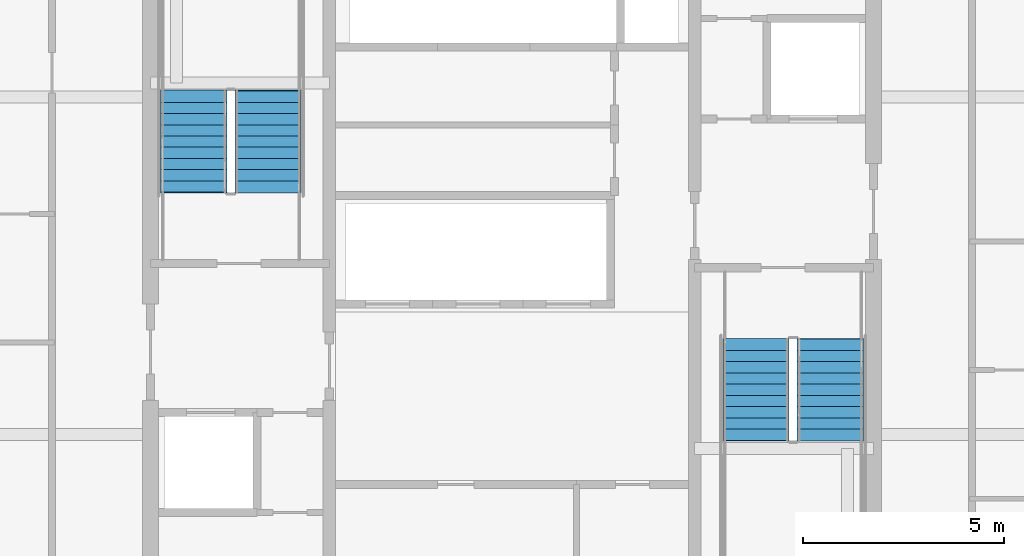
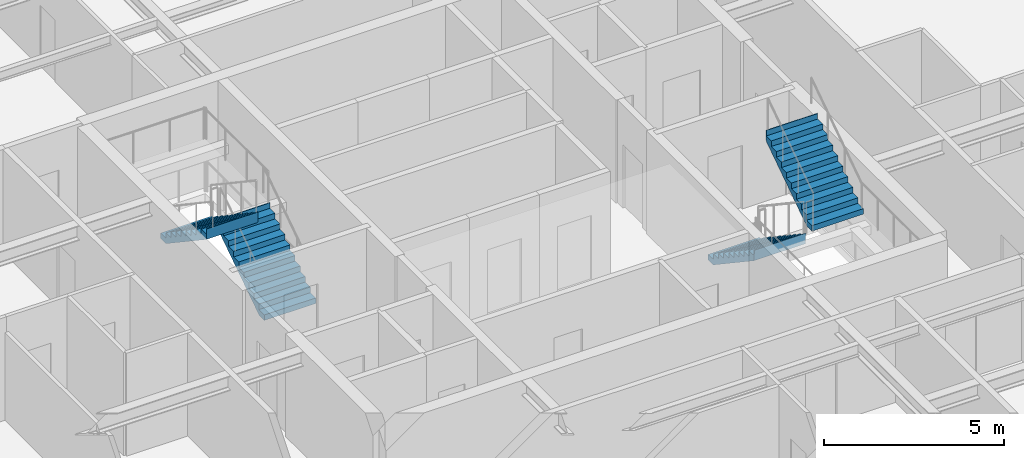
# One storey, part 30 of 35: 4 stair flights, 2 elements without a shape of their own.
"""IFC4 building model written with IfcOpenShell, lengths in metres."""

from ifc_helpers import new_model, si_unit, direction, frame, origin, place, context, subcontext, project, spatial, polygons, material, type_object, element, aggregate, save


model = new_model("IFC4")

# Units and contexts
model_context = context("Model", 3, precision=1e-05, world=origin(), true_north=direction((0.0, 1.0)))
body_context = subcontext(model_context, "Body", "Model", "MODEL_VIEW")
ifc_project = project(units=[si_unit("LENGTHUNIT", "METRE"), si_unit("AREAUNIT", "SQUARE_METRE"), si_unit("VOLUMEUNIT", "CUBIC_METRE"), si_unit("PLANEANGLEUNIT", "RADIAN"), si_unit("MASSUNIT", "GRAM", prefix="KILO")], contexts=[model_context])

# Site, building, storey
site_placement = place(None, origin())
site = spatial("IfcSite", under=ifc_project, at=site_placement, CompositionType="ELEMENT")
building_placement = place(site_placement, origin())
building = spatial("IfcBuilding", under=site, at=building_placement, Name="Serunith Strait Residences", CompositionType="ELEMENT")
storey_placement = place(building_placement, frame((0.0, 0.0, 191.39990234375)))
storey = spatial("IfcBuildingStorey", under=building, at=storey_placement, Name="L48", CompositionType="ELEMENT", Elevation=191.39990234375)

# Stair, stair flights
ifc_material = material(Name="Concrete C50/60", Category="concrete")
stair_type_1 = type_object("IfcStairType", Name="STR-CORE-1", PredefinedType="HALF_TURN_STAIR", material=ifc_material)
stair_1_placement = place(storey_placement, origin())
stair_1 = element("IfcStair", 1, at=stair_1_placement, inside=storey, type_object=stair_type_1, Name="L48 Protected Escape Stair ST-1", PredefinedType="HALF_TURN_STAIR")
stair_flight_type_1 = type_object("IfcStairFlightType", Name="FLT-CORE-1", PredefinedType="STRAIGHT", material=ifc_material)
stair_flight_1_placement = place(storey_placement, frame((26.324951171875, 27.030029296875, 0.0), z_axis=(0.0, 0.0, 1.0), x_axis=(0.0, 1.0, 0.0)))
stair_flight_1 = element("IfcStairFlight", 2, at=stair_flight_1_placement, type_object=stair_flight_type_1, Name="ST-1 flight 1", NumberOfRisers=10, NumberOfTreads=9, PredefinedType="STRAIGHT", RiserHeight=0.1875, TreadLength=0.28, context=body_context, shape_type="Tessellation", body=[
    polygons([(-0.02001953125, -0.824951171875, 0.0), (-0.02001953125, -0.824951171875, 0.1875), (0.280029296875, -0.824951171875, 0.1875), (0.280029296875, -0.824951171875, 0.375), (0.56005859375, -0.824951171875, 0.375), (0.56005859375, -0.824951171875, 0.5625), (0.840087890625, -0.824951171875, 0.5625), (0.840087890625, -0.824951171875, 0.75), (1.1201171875, -0.824951171875, 0.75), (1.1201171875, -0.824951171875, 0.9375), (1.39990234375, -0.824951171875, 0.9375), (1.39990234375, -0.824951171875, 1.125), (1.679931640625, -0.824951171875, 1.125), (1.679931640625, -0.824951171875, 1.3125), (1.9599609375, -0.824951171875, 1.3125), (1.9599609375, -0.824951171875, 1.5), (2.239990234375, -0.824951171875, 1.5), (2.239990234375, -0.824951171875, 1.6875), (2.52001953125, -0.824951171875, 1.6875), (2.52001953125, -0.824951171875, 1.875), (2.5400390625, -0.824951171875, 1.875), (2.5400390625, -0.824951171875, 1.81494140625), (2.52001953125, -0.824951171875, 1.507080078125), (0.26953125, -0.824951171875, 0.0), (-0.02001953125, -0.41259765625, 0.0), (-0.02001953125, -0.41259765625, 0.1875), (0.280029296875, -0.41259765625, 0.1875), (0.280029296875, -0.41259765625, 0.375), (0.56005859375, -0.41259765625, 0.375), (0.56005859375, -0.41259765625, 0.5625), (0.840087890625, -0.41259765625, 0.5625), (0.840087890625, -0.41259765625, 0.75), (1.1201171875, -0.41259765625, 0.75), (1.1201171875, -0.41259765625, 0.9375), (1.39990234375, -0.41259765625, 0.9375), (1.39990234375, -0.41259765625, 1.125), (1.679931640625, -0.41259765625, 1.125), (1.679931640625, -0.41259765625, 1.3125), (1.9599609375, -0.41259765625, 1.3125), (1.9599609375, -0.41259765625, 1.5), (2.239990234375, -0.41259765625, 1.5), (2.239990234375, -0.41259765625, 1.6875), (2.52001953125, -0.41259765625, 1.6875), (2.52001953125, -0.41259765625, 1.875), (2.5400390625, -0.41259765625, 1.875), (2.5400390625, -0.41259765625, 1.81494140625), (2.52001953125, -0.41259765625, 1.507080078125), (0.26953125, -0.41259765625, 0.0), (-0.02001953125, 0.0, 0.0), (-0.02001953125, 0.0, 0.1875), (0.280029296875, 0.0, 0.1875), (0.280029296875, 0.0, 0.375), (0.56005859375, 0.0, 0.375), (0.56005859375, 0.0, 0.5625), (0.840087890625, 0.0, 0.5625), (0.840087890625, 0.0, 0.75), (1.1201171875, 0.0, 0.75), (1.1201171875, 0.0, 0.9375), (1.39990234375, 0.0, 0.9375), (1.39990234375, 0.0, 1.125), (1.679931640625, 0.0, 1.125), (1.679931640625, 0.0, 1.3125), (1.9599609375, 0.0, 1.3125), (1.9599609375, 0.0, 1.5), (2.239990234375, 0.0, 1.5), (2.239990234375, 0.0, 1.6875), (2.52001953125, 0.0, 1.6875), (2.52001953125, 0.0, 1.875), (2.5400390625, 0.0, 1.875), (2.5400390625, 0.0, 1.81494140625), (2.52001953125, 0.0, 1.507080078125), (0.26953125, 0.0, 0.0), (-0.02001953125, 0.41259765625, 0.0), (-0.02001953125, 0.41259765625, 0.1875), (0.280029296875, 0.41259765625, 0.1875), (0.280029296875, 0.41259765625, 0.375), (0.56005859375, 0.41259765625, 0.375), (0.56005859375, 0.41259765625, 0.5625), (0.840087890625, 0.41259765625, 0.5625), (0.840087890625, 0.41259765625, 0.75), (1.1201171875, 0.41259765625, 0.75), (1.1201171875, 0.41259765625, 0.9375), (1.39990234375, 0.41259765625, 0.9375), (1.39990234375, 0.41259765625, 1.125), (1.679931640625, 0.41259765625, 1.125), (1.679931640625, 0.41259765625, 1.3125), (1.9599609375, 0.41259765625, 1.3125), (1.9599609375, 0.41259765625, 1.5), (2.239990234375, 0.41259765625, 1.5), (2.239990234375, 0.41259765625, 1.6875), (2.52001953125, 0.41259765625, 1.6875), (2.52001953125, 0.41259765625, 1.875), (2.5400390625, 0.41259765625, 1.875), (2.5400390625, 0.41259765625, 1.81494140625), (2.52001953125, 0.41259765625, 1.507080078125), (0.26953125, 0.41259765625, 0.0), (-0.02001953125, 0.824951171875, 0.0), (-0.02001953125, 0.824951171875, 0.1875), (0.280029296875, 0.824951171875, 0.1875), (0.280029296875, 0.824951171875, 0.375), (0.56005859375, 0.824951171875, 0.375), (0.56005859375, 0.824951171875, 0.5625), (0.840087890625, 0.824951171875, 0.5625), (0.840087890625, 0.824951171875, 0.75), (1.1201171875, 0.824951171875, 0.75), (1.1201171875, 0.824951171875, 0.9375), (1.39990234375, 0.824951171875, 0.9375), (1.39990234375, 0.824951171875, 1.125), (1.679931640625, 0.824951171875, 1.125), (1.679931640625, 0.824951171875, 1.3125), (1.9599609375, 0.824951171875, 1.3125), (1.9599609375, 0.824951171875, 1.5), (2.239990234375, 0.824951171875, 1.5), (2.239990234375, 0.824951171875, 1.6875), (2.52001953125, 0.824951171875, 1.6875), (2.52001953125, 0.824951171875, 1.875), (2.5400390625, 0.824951171875, 1.875), (2.5400390625, 0.824951171875, 1.81494140625), (2.52001953125, 0.824951171875, 1.507080078125), (0.26953125, 0.824951171875, 0.0)], [[[1, 2, 26, 25]], [[2, 3, 27, 26]], [[3, 4, 28, 27]], [[4, 5, 29, 28]], [[5, 6, 30, 29]], [[6, 7, 31, 30]], [[7, 8, 32, 31]], [[8, 9, 33, 32]], [[9, 10, 34, 33]], [[10, 11, 35, 34]], [[11, 12, 36, 35]], [[12, 13, 37, 36]], [[13, 14, 38, 37]], [[14, 15, 39, 38]], [[15, 16, 40, 39]], [[16, 17, 41, 40]], [[17, 18, 42, 41]], [[18, 19, 43, 42]], [[19, 20, 44, 43]], [[20, 21, 45, 44]], [[21, 22, 46, 45]], [[22, 23, 47, 46]], [[23, 24, 48, 47]], [[24, 1, 25, 48]], [[25, 26, 50, 49]], [[26, 27, 51, 50]], [[27, 28, 52, 51]], [[28, 29, 53, 52]], [[29, 30, 54, 53]], [[30, 31, 55, 54]], [[31, 32, 56, 55]], [[32, 33, 57, 56]], [[33, 34, 58, 57]], [[34, 35, 59, 58]], [[35, 36, 60, 59]], [[36, 37, 61, 60]], [[37, 38, 62, 61]], [[38, 39, 63, 62]], [[39, 40, 64, 63]], [[40, 41, 65, 64]], [[41, 42, 66, 65]], [[42, 43, 67, 66]], [[43, 44, 68, 67]], [[44, 45, 69, 68]], [[45, 46, 70, 69]], [[46, 47, 71, 70]], [[47, 48, 72, 71]], [[48, 25, 49, 72]], [[49, 50, 74, 73]], [[50, 51, 75, 74]], [[51, 52, 76, 75]], [[52, 53, 77, 76]], [[53, 54, 78, 77]], [[54, 55, 79, 78]], [[55, 56, 80, 79]], [[56, 57, 81, 80]], [[57, 58, 82, 81]], [[58, 59, 83, 82]], [[59, 60, 84, 83]], [[60, 61, 85, 84]], [[61, 62, 86, 85]], [[62, 63, 87, 86]], [[63, 64, 88, 87]], [[64, 65, 89, 88]], [[65, 66, 90, 89]], [[66, 67, 91, 90]], [[67, 68, 92, 91]], [[68, 69, 93, 92]], [[69, 70, 94, 93]], [[70, 71, 95, 94]], [[71, 72, 96, 95]], [[72, 49, 73, 96]], [[73, 74, 98, 97]], [[74, 75, 99, 98]], [[75, 76, 100, 99]], [[76, 77, 101, 100]], [[77, 78, 102, 101]], [[78, 79, 103, 102]], [[79, 80, 104, 103]], [[80, 81, 105, 104]], [[81, 82, 106, 105]], [[82, 83, 107, 106]], [[83, 84, 108, 107]], [[84, 85, 109, 108]], [[85, 86, 110, 109]], [[86, 87, 111, 110]], [[87, 88, 112, 111]], [[88, 89, 113, 112]], [[89, 90, 114, 113]], [[90, 91, 115, 114]], [[91, 92, 116, 115]], [[92, 93, 117, 116]], [[93, 94, 118, 117]], [[94, 95, 119, 118]], [[95, 96, 120, 119]], [[96, 73, 97, 120]], [[24, 23, 22, 21, 20, 19, 18, 17, 16, 15, 14, 13, 12, 11, 10, 9, 8, 7, 6, 5, 4, 3, 2, 1]], [[97, 98, 99, 100, 101, 102, 103, 104, 105, 106, 107, 108, 109, 110, 111, 112, 113, 114, 115, 116, 117, 118, 119, 120]]], closed=True),
])
stair_flight_2_placement = place(storey_placement, frame((24.47509765625, 29.550048828125, 1.875), z_axis=(0.0, 0.0, 1.0), x_axis=(0.0, -1.0, 0.0)))
stair_flight_2 = element("IfcStairFlight", 3, at=stair_flight_2_placement, type_object=stair_flight_type_1, Name="ST-1 flight 2", NumberOfRisers=10, NumberOfTreads=9, PredefinedType="STRAIGHT", RiserHeight=0.1875, TreadLength=0.28, context=body_context, shape_type="Tessellation", body=[
    polygons([(-0.02001953125, -0.824951171875, 0.0), (-0.02001953125, -0.824951171875, 0.1875), (0.280029296875, -0.824951171875, 0.1875), (0.280029296875, -0.824951171875, 0.375), (0.56005859375, -0.824951171875, 0.375), (0.56005859375, -0.824951171875, 0.5625), (0.840087890625, -0.824951171875, 0.5625), (0.840087890625, -0.824951171875, 0.75), (1.1201171875, -0.824951171875, 0.75), (1.1201171875, -0.824951171875, 0.9375), (1.39990234375, -0.824951171875, 0.9375), (1.39990234375, -0.824951171875, 1.125), (1.679931640625, -0.824951171875, 1.125), (1.679931640625, -0.824951171875, 1.3125), (1.9599609375, -0.824951171875, 1.3125), (1.9599609375, -0.824951171875, 1.5), (2.239990234375, -0.824951171875, 1.5), (2.239990234375, -0.824951171875, 1.6875), (2.52001953125, -0.824951171875, 1.6875), (2.52001953125, -0.824951171875, 1.875), (2.5400390625, -0.824951171875, 1.875), (2.5400390625, -0.824951171875, 1.81494140625), (2.52001953125, -0.824951171875, 1.507080078125), (0.26953125, -0.824951171875, 0.0), (-0.02001953125, -0.41259765625, 0.0), (-0.02001953125, -0.41259765625, 0.1875), (0.280029296875, -0.41259765625, 0.1875), (0.280029296875, -0.41259765625, 0.375), (0.56005859375, -0.41259765625, 0.375), (0.56005859375, -0.41259765625, 0.5625), (0.840087890625, -0.41259765625, 0.5625), (0.840087890625, -0.41259765625, 0.75), (1.1201171875, -0.41259765625, 0.75), (1.1201171875, -0.41259765625, 0.9375), (1.39990234375, -0.41259765625, 0.9375), (1.39990234375, -0.41259765625, 1.125), (1.679931640625, -0.41259765625, 1.125), (1.679931640625, -0.41259765625, 1.3125), (1.9599609375, -0.41259765625, 1.3125), (1.9599609375, -0.41259765625, 1.5), (2.239990234375, -0.41259765625, 1.5), (2.239990234375, -0.41259765625, 1.6875), (2.52001953125, -0.41259765625, 1.6875), (2.52001953125, -0.41259765625, 1.875), (2.5400390625, -0.41259765625, 1.875), (2.5400390625, -0.41259765625, 1.81494140625), (2.52001953125, -0.41259765625, 1.507080078125), (0.26953125, -0.41259765625, 0.0), (-0.02001953125, 0.0, 0.0), (-0.02001953125, 0.0, 0.1875), (0.280029296875, 0.0, 0.1875), (0.280029296875, 0.0, 0.375), (0.56005859375, 0.0, 0.375), (0.56005859375, 0.0, 0.5625), (0.840087890625, 0.0, 0.5625), (0.840087890625, 0.0, 0.75), (1.1201171875, 0.0, 0.75), (1.1201171875, 0.0, 0.9375), (1.39990234375, 0.0, 0.9375), (1.39990234375, 0.0, 1.125), (1.679931640625, 0.0, 1.125), (1.679931640625, 0.0, 1.3125), (1.9599609375, 0.0, 1.3125), (1.9599609375, 0.0, 1.5), (2.239990234375, 0.0, 1.5), (2.239990234375, 0.0, 1.6875), (2.52001953125, 0.0, 1.6875), (2.52001953125, 0.0, 1.875), (2.5400390625, 0.0, 1.875), (2.5400390625, 0.0, 1.81494140625), (2.52001953125, 0.0, 1.507080078125), (0.26953125, 0.0, 0.0), (-0.02001953125, 0.41259765625, 0.0), (-0.02001953125, 0.41259765625, 0.1875), (0.280029296875, 0.41259765625, 0.1875), (0.280029296875, 0.41259765625, 0.375), (0.56005859375, 0.41259765625, 0.375), (0.56005859375, 0.41259765625, 0.5625), (0.840087890625, 0.41259765625, 0.5625), (0.840087890625, 0.41259765625, 0.75), (1.1201171875, 0.41259765625, 0.75), (1.1201171875, 0.41259765625, 0.9375), (1.39990234375, 0.41259765625, 0.9375), (1.39990234375, 0.41259765625, 1.125), (1.679931640625, 0.41259765625, 1.125), (1.679931640625, 0.41259765625, 1.3125), (1.9599609375, 0.41259765625, 1.3125), (1.9599609375, 0.41259765625, 1.5), (2.239990234375, 0.41259765625, 1.5), (2.239990234375, 0.41259765625, 1.6875), (2.52001953125, 0.41259765625, 1.6875), (2.52001953125, 0.41259765625, 1.875), (2.5400390625, 0.41259765625, 1.875), (2.5400390625, 0.41259765625, 1.81494140625), (2.52001953125, 0.41259765625, 1.507080078125), (0.26953125, 0.41259765625, 0.0), (-0.02001953125, 0.824951171875, 0.0), (-0.02001953125, 0.824951171875, 0.1875), (0.280029296875, 0.824951171875, 0.1875), (0.280029296875, 0.824951171875, 0.375), (0.56005859375, 0.824951171875, 0.375), (0.56005859375, 0.824951171875, 0.5625), (0.840087890625, 0.824951171875, 0.5625), (0.840087890625, 0.824951171875, 0.75), (1.1201171875, 0.824951171875, 0.75), (1.1201171875, 0.824951171875, 0.9375), (1.39990234375, 0.824951171875, 0.9375), (1.39990234375, 0.824951171875, 1.125), (1.679931640625, 0.824951171875, 1.125), (1.679931640625, 0.824951171875, 1.3125), (1.9599609375, 0.824951171875, 1.3125), (1.9599609375, 0.824951171875, 1.5), (2.239990234375, 0.824951171875, 1.5), (2.239990234375, 0.824951171875, 1.6875), (2.52001953125, 0.824951171875, 1.6875), (2.52001953125, 0.824951171875, 1.875), (2.5400390625, 0.824951171875, 1.875), (2.5400390625, 0.824951171875, 1.81494140625), (2.52001953125, 0.824951171875, 1.507080078125), (0.26953125, 0.824951171875, 0.0)], [[[1, 2, 26, 25]], [[2, 3, 27, 26]], [[3, 4, 28, 27]], [[4, 5, 29, 28]], [[5, 6, 30, 29]], [[6, 7, 31, 30]], [[7, 8, 32, 31]], [[8, 9, 33, 32]], [[9, 10, 34, 33]], [[10, 11, 35, 34]], [[11, 12, 36, 35]], [[12, 13, 37, 36]], [[13, 14, 38, 37]], [[14, 15, 39, 38]], [[15, 16, 40, 39]], [[16, 17, 41, 40]], [[17, 18, 42, 41]], [[18, 19, 43, 42]], [[19, 20, 44, 43]], [[20, 21, 45, 44]], [[21, 22, 46, 45]], [[22, 23, 47, 46]], [[23, 24, 48, 47]], [[24, 1, 25, 48]], [[25, 26, 50, 49]], [[26, 27, 51, 50]], [[27, 28, 52, 51]], [[28, 29, 53, 52]], [[29, 30, 54, 53]], [[30, 31, 55, 54]], [[31, 32, 56, 55]], [[32, 33, 57, 56]], [[33, 34, 58, 57]], [[34, 35, 59, 58]], [[35, 36, 60, 59]], [[36, 37, 61, 60]], [[37, 38, 62, 61]], [[38, 39, 63, 62]], [[39, 40, 64, 63]], [[40, 41, 65, 64]], [[41, 42, 66, 65]], [[42, 43, 67, 66]], [[43, 44, 68, 67]], [[44, 45, 69, 68]], [[45, 46, 70, 69]], [[46, 47, 71, 70]], [[47, 48, 72, 71]], [[48, 25, 49, 72]], [[49, 50, 74, 73]], [[50, 51, 75, 74]], [[51, 52, 76, 75]], [[52, 53, 77, 76]], [[53, 54, 78, 77]], [[54, 55, 79, 78]], [[55, 56, 80, 79]], [[56, 57, 81, 80]], [[57, 58, 82, 81]], [[58, 59, 83, 82]], [[59, 60, 84, 83]], [[60, 61, 85, 84]], [[61, 62, 86, 85]], [[62, 63, 87, 86]], [[63, 64, 88, 87]], [[64, 65, 89, 88]], [[65, 66, 90, 89]], [[66, 67, 91, 90]], [[67, 68, 92, 91]], [[68, 69, 93, 92]], [[69, 70, 94, 93]], [[70, 71, 95, 94]], [[71, 72, 96, 95]], [[72, 49, 73, 96]], [[73, 74, 98, 97]], [[74, 75, 99, 98]], [[75, 76, 100, 99]], [[76, 77, 101, 100]], [[77, 78, 102, 101]], [[78, 79, 103, 102]], [[79, 80, 104, 103]], [[80, 81, 105, 104]], [[81, 82, 106, 105]], [[82, 83, 107, 106]], [[83, 84, 108, 107]], [[84, 85, 109, 108]], [[85, 86, 110, 109]], [[86, 87, 111, 110]], [[87, 88, 112, 111]], [[88, 89, 113, 112]], [[89, 90, 114, 113]], [[90, 91, 115, 114]], [[91, 92, 116, 115]], [[92, 93, 117, 116]], [[93, 94, 118, 117]], [[94, 95, 119, 118]], [[95, 96, 120, 119]], [[96, 73, 97, 120]], [[24, 23, 22, 21, 20, 19, 18, 17, 16, 15, 14, 13, 12, 11, 10, 9, 8, 7, 6, 5, 4, 3, 2, 1]], [[97, 98, 99, 100, 101, 102, 103, 104, 105, 106, 107, 108, 109, 110, 111, 112, 113, 114, 115, 116, 117, 118, 119, 120]]], closed=True),
])
aggregate(stair_1, [stair_flight_1, stair_flight_2])

stair_type_2 = type_object("IfcStairType", Name="STR-CORE-2", PredefinedType="HALF_TURN_STAIR", material=ifc_material)
stair_2_placement = place(storey_placement, origin())
stair_2 = element("IfcStair", 4, at=stair_2_placement, inside=storey, type_object=stair_type_2, Name="L48 Protected Escape Stair ST-2", PredefinedType="HALF_TURN_STAIR")
stair_flight_type_2 = type_object("IfcStairFlightType", Name="FLT-CORE-2", PredefinedType="STRAIGHT", material=ifc_material)
stair_flight_3_placement = place(storey_placement, frame((38.47509765625, 23.3701171875, 0.0), z_axis=(0.0, 0.0, 1.0), x_axis=(0.0, -1.0, 0.0)))
stair_flight_3 = element("IfcStairFlight", 5, at=stair_flight_3_placement, type_object=stair_flight_type_2, Name="ST-2 flight 1", NumberOfRisers=10, NumberOfTreads=9, PredefinedType="STRAIGHT", RiserHeight=0.1875, TreadLength=0.28, context=body_context, shape_type="Tessellation", body=[
    polygons([(-0.02001953125, -0.824951171875, 0.0), (-0.02001953125, -0.824951171875, 0.1875), (0.280029296875, -0.824951171875, 0.1875), (0.280029296875, -0.824951171875, 0.375), (0.56005859375, -0.824951171875, 0.375), (0.56005859375, -0.824951171875, 0.5625), (0.840087890625, -0.824951171875, 0.5625), (0.840087890625, -0.824951171875, 0.75), (1.1201171875, -0.824951171875, 0.75), (1.1201171875, -0.824951171875, 0.9375), (1.39990234375, -0.824951171875, 0.9375), (1.39990234375, -0.824951171875, 1.125), (1.679931640625, -0.824951171875, 1.125), (1.679931640625, -0.824951171875, 1.3125), (1.9599609375, -0.824951171875, 1.3125), (1.9599609375, -0.824951171875, 1.5), (2.239990234375, -0.824951171875, 1.5), (2.239990234375, -0.824951171875, 1.6875), (2.52001953125, -0.824951171875, 1.6875), (2.52001953125, -0.824951171875, 1.875), (2.5400390625, -0.824951171875, 1.875), (2.5400390625, -0.824951171875, 1.81494140625), (2.52001953125, -0.824951171875, 1.507080078125), (0.26953125, -0.824951171875, 0.0), (-0.02001953125, -0.41259765625, 0.0), (-0.02001953125, -0.41259765625, 0.1875), (0.280029296875, -0.41259765625, 0.1875), (0.280029296875, -0.41259765625, 0.375), (0.56005859375, -0.41259765625, 0.375), (0.56005859375, -0.41259765625, 0.5625), (0.840087890625, -0.41259765625, 0.5625), (0.840087890625, -0.41259765625, 0.75), (1.1201171875, -0.41259765625, 0.75), (1.1201171875, -0.41259765625, 0.9375), (1.39990234375, -0.41259765625, 0.9375), (1.39990234375, -0.41259765625, 1.125), (1.679931640625, -0.41259765625, 1.125), (1.679931640625, -0.41259765625, 1.3125), (1.9599609375, -0.41259765625, 1.3125), (1.9599609375, -0.41259765625, 1.5), (2.239990234375, -0.41259765625, 1.5), (2.239990234375, -0.41259765625, 1.6875), (2.52001953125, -0.41259765625, 1.6875), (2.52001953125, -0.41259765625, 1.875), (2.5400390625, -0.41259765625, 1.875), (2.5400390625, -0.41259765625, 1.81494140625), (2.52001953125, -0.41259765625, 1.507080078125), (0.26953125, -0.41259765625, 0.0), (-0.02001953125, 0.0, 0.0), (-0.02001953125, 0.0, 0.1875), (0.280029296875, 0.0, 0.1875), (0.280029296875, 0.0, 0.375), (0.56005859375, 0.0, 0.375), (0.56005859375, 0.0, 0.5625), (0.840087890625, 0.0, 0.5625), (0.840087890625, 0.0, 0.75), (1.1201171875, 0.0, 0.75), (1.1201171875, 0.0, 0.9375), (1.39990234375, 0.0, 0.9375), (1.39990234375, 0.0, 1.125), (1.679931640625, 0.0, 1.125), (1.679931640625, 0.0, 1.3125), (1.9599609375, 0.0, 1.3125), (1.9599609375, 0.0, 1.5), (2.239990234375, 0.0, 1.5), (2.239990234375, 0.0, 1.6875), (2.52001953125, 0.0, 1.6875), (2.52001953125, 0.0, 1.875), (2.5400390625, 0.0, 1.875), (2.5400390625, 0.0, 1.81494140625), (2.52001953125, 0.0, 1.507080078125), (0.26953125, 0.0, 0.0), (-0.02001953125, 0.41259765625, 0.0), (-0.02001953125, 0.41259765625, 0.1875), (0.280029296875, 0.41259765625, 0.1875), (0.280029296875, 0.41259765625, 0.375), (0.56005859375, 0.41259765625, 0.375), (0.56005859375, 0.41259765625, 0.5625), (0.840087890625, 0.41259765625, 0.5625), (0.840087890625, 0.41259765625, 0.75), (1.1201171875, 0.41259765625, 0.75), (1.1201171875, 0.41259765625, 0.9375), (1.39990234375, 0.41259765625, 0.9375), (1.39990234375, 0.41259765625, 1.125), (1.679931640625, 0.41259765625, 1.125), (1.679931640625, 0.41259765625, 1.3125), (1.9599609375, 0.41259765625, 1.3125), (1.9599609375, 0.41259765625, 1.5), (2.239990234375, 0.41259765625, 1.5), (2.239990234375, 0.41259765625, 1.6875), (2.52001953125, 0.41259765625, 1.6875), (2.52001953125, 0.41259765625, 1.875), (2.5400390625, 0.41259765625, 1.875), (2.5400390625, 0.41259765625, 1.81494140625), (2.52001953125, 0.41259765625, 1.507080078125), (0.26953125, 0.41259765625, 0.0), (-0.02001953125, 0.824951171875, 0.0), (-0.02001953125, 0.824951171875, 0.1875), (0.280029296875, 0.824951171875, 0.1875), (0.280029296875, 0.824951171875, 0.375), (0.56005859375, 0.824951171875, 0.375), (0.56005859375, 0.824951171875, 0.5625), (0.840087890625, 0.824951171875, 0.5625), (0.840087890625, 0.824951171875, 0.75), (1.1201171875, 0.824951171875, 0.75), (1.1201171875, 0.824951171875, 0.9375), (1.39990234375, 0.824951171875, 0.9375), (1.39990234375, 0.824951171875, 1.125), (1.679931640625, 0.824951171875, 1.125), (1.679931640625, 0.824951171875, 1.3125), (1.9599609375, 0.824951171875, 1.3125), (1.9599609375, 0.824951171875, 1.5), (2.239990234375, 0.824951171875, 1.5), (2.239990234375, 0.824951171875, 1.6875), (2.52001953125, 0.824951171875, 1.6875), (2.52001953125, 0.824951171875, 1.875), (2.5400390625, 0.824951171875, 1.875), (2.5400390625, 0.824951171875, 1.81494140625), (2.52001953125, 0.824951171875, 1.507080078125), (0.26953125, 0.824951171875, 0.0)], [[[1, 2, 26, 25]], [[2, 3, 27, 26]], [[3, 4, 28, 27]], [[4, 5, 29, 28]], [[5, 6, 30, 29]], [[6, 7, 31, 30]], [[7, 8, 32, 31]], [[8, 9, 33, 32]], [[9, 10, 34, 33]], [[10, 11, 35, 34]], [[11, 12, 36, 35]], [[12, 13, 37, 36]], [[13, 14, 38, 37]], [[14, 15, 39, 38]], [[15, 16, 40, 39]], [[16, 17, 41, 40]], [[17, 18, 42, 41]], [[18, 19, 43, 42]], [[19, 20, 44, 43]], [[20, 21, 45, 44]], [[21, 22, 46, 45]], [[22, 23, 47, 46]], [[23, 24, 48, 47]], [[24, 1, 25, 48]], [[25, 26, 50, 49]], [[26, 27, 51, 50]], [[27, 28, 52, 51]], [[28, 29, 53, 52]], [[29, 30, 54, 53]], [[30, 31, 55, 54]], [[31, 32, 56, 55]], [[32, 33, 57, 56]], [[33, 34, 58, 57]], [[34, 35, 59, 58]], [[35, 36, 60, 59]], [[36, 37, 61, 60]], [[37, 38, 62, 61]], [[38, 39, 63, 62]], [[39, 40, 64, 63]], [[40, 41, 65, 64]], [[41, 42, 66, 65]], [[42, 43, 67, 66]], [[43, 44, 68, 67]], [[44, 45, 69, 68]], [[45, 46, 70, 69]], [[46, 47, 71, 70]], [[47, 48, 72, 71]], [[48, 25, 49, 72]], [[49, 50, 74, 73]], [[50, 51, 75, 74]], [[51, 52, 76, 75]], [[52, 53, 77, 76]], [[53, 54, 78, 77]], [[54, 55, 79, 78]], [[55, 56, 80, 79]], [[56, 57, 81, 80]], [[57, 58, 82, 81]], [[58, 59, 83, 82]], [[59, 60, 84, 83]], [[60, 61, 85, 84]], [[61, 62, 86, 85]], [[62, 63, 87, 86]], [[63, 64, 88, 87]], [[64, 65, 89, 88]], [[65, 66, 90, 89]], [[66, 67, 91, 90]], [[67, 68, 92, 91]], [[68, 69, 93, 92]], [[69, 70, 94, 93]], [[70, 71, 95, 94]], [[71, 72, 96, 95]], [[72, 49, 73, 96]], [[73, 74, 98, 97]], [[74, 75, 99, 98]], [[75, 76, 100, 99]], [[76, 77, 101, 100]], [[77, 78, 102, 101]], [[78, 79, 103, 102]], [[79, 80, 104, 103]], [[80, 81, 105, 104]], [[81, 82, 106, 105]], [[82, 83, 107, 106]], [[83, 84, 108, 107]], [[84, 85, 109, 108]], [[85, 86, 110, 109]], [[86, 87, 111, 110]], [[87, 88, 112, 111]], [[88, 89, 113, 112]], [[89, 90, 114, 113]], [[90, 91, 115, 114]], [[91, 92, 116, 115]], [[92, 93, 117, 116]], [[93, 94, 118, 117]], [[94, 95, 119, 118]], [[95, 96, 120, 119]], [[96, 73, 97, 120]], [[24, 23, 22, 21, 20, 19, 18, 17, 16, 15, 14, 13, 12, 11, 10, 9, 8, 7, 6, 5, 4, 3, 2, 1]], [[97, 98, 99, 100, 101, 102, 103, 104, 105, 106, 107, 108, 109, 110, 111, 112, 113, 114, 115, 116, 117, 118, 119, 120]]], closed=True),
])
stair_flight_4_placement = place(storey_placement, frame((40.324951171875, 20.85009765625, 1.875), z_axis=(0.0, 0.0, 1.0), x_axis=(0.0, 1.0, 0.0)))
stair_flight_4 = element("IfcStairFlight", 6, at=stair_flight_4_placement, type_object=stair_flight_type_2, Name="ST-2 flight 2", NumberOfRisers=10, NumberOfTreads=9, PredefinedType="STRAIGHT", RiserHeight=0.1875, TreadLength=0.28, context=body_context, shape_type="Tessellation", body=[
    polygons([(-0.02001953125, -0.824951171875, 0.0), (-0.02001953125, -0.824951171875, 0.1875), (0.280029296875, -0.824951171875, 0.1875), (0.280029296875, -0.824951171875, 0.375), (0.56005859375, -0.824951171875, 0.375), (0.56005859375, -0.824951171875, 0.5625), (0.840087890625, -0.824951171875, 0.5625), (0.840087890625, -0.824951171875, 0.75), (1.1201171875, -0.824951171875, 0.75), (1.1201171875, -0.824951171875, 0.9375), (1.39990234375, -0.824951171875, 0.9375), (1.39990234375, -0.824951171875, 1.125), (1.679931640625, -0.824951171875, 1.125), (1.679931640625, -0.824951171875, 1.3125), (1.9599609375, -0.824951171875, 1.3125), (1.9599609375, -0.824951171875, 1.5), (2.239990234375, -0.824951171875, 1.5), (2.239990234375, -0.824951171875, 1.6875), (2.52001953125, -0.824951171875, 1.6875), (2.52001953125, -0.824951171875, 1.875), (2.5400390625, -0.824951171875, 1.875), (2.5400390625, -0.824951171875, 1.81494140625), (2.52001953125, -0.824951171875, 1.507080078125), (0.26953125, -0.824951171875, 0.0), (-0.02001953125, -0.41259765625, 0.0), (-0.02001953125, -0.41259765625, 0.1875), (0.280029296875, -0.41259765625, 0.1875), (0.280029296875, -0.41259765625, 0.375), (0.56005859375, -0.41259765625, 0.375), (0.56005859375, -0.41259765625, 0.5625), (0.840087890625, -0.41259765625, 0.5625), (0.840087890625, -0.41259765625, 0.75), (1.1201171875, -0.41259765625, 0.75), (1.1201171875, -0.41259765625, 0.9375), (1.39990234375, -0.41259765625, 0.9375), (1.39990234375, -0.41259765625, 1.125), (1.679931640625, -0.41259765625, 1.125), (1.679931640625, -0.41259765625, 1.3125), (1.9599609375, -0.41259765625, 1.3125), (1.9599609375, -0.41259765625, 1.5), (2.239990234375, -0.41259765625, 1.5), (2.239990234375, -0.41259765625, 1.6875), (2.52001953125, -0.41259765625, 1.6875), (2.52001953125, -0.41259765625, 1.875), (2.5400390625, -0.41259765625, 1.875), (2.5400390625, -0.41259765625, 1.81494140625), (2.52001953125, -0.41259765625, 1.507080078125), (0.26953125, -0.41259765625, 0.0), (-0.02001953125, 0.0, 0.0), (-0.02001953125, 0.0, 0.1875), (0.280029296875, 0.0, 0.1875), (0.280029296875, 0.0, 0.375), (0.56005859375, 0.0, 0.375), (0.56005859375, 0.0, 0.5625), (0.840087890625, 0.0, 0.5625), (0.840087890625, 0.0, 0.75), (1.1201171875, 0.0, 0.75), (1.1201171875, 0.0, 0.9375), (1.39990234375, 0.0, 0.9375), (1.39990234375, 0.0, 1.125), (1.679931640625, 0.0, 1.125), (1.679931640625, 0.0, 1.3125), (1.9599609375, 0.0, 1.3125), (1.9599609375, 0.0, 1.5), (2.239990234375, 0.0, 1.5), (2.239990234375, 0.0, 1.6875), (2.52001953125, 0.0, 1.6875), (2.52001953125, 0.0, 1.875), (2.5400390625, 0.0, 1.875), (2.5400390625, 0.0, 1.81494140625), (2.52001953125, 0.0, 1.507080078125), (0.26953125, 0.0, 0.0), (-0.02001953125, 0.41259765625, 0.0), (-0.02001953125, 0.41259765625, 0.1875), (0.280029296875, 0.41259765625, 0.1875), (0.280029296875, 0.41259765625, 0.375), (0.56005859375, 0.41259765625, 0.375), (0.56005859375, 0.41259765625, 0.5625), (0.840087890625, 0.41259765625, 0.5625), (0.840087890625, 0.41259765625, 0.75), (1.1201171875, 0.41259765625, 0.75), (1.1201171875, 0.41259765625, 0.9375), (1.39990234375, 0.41259765625, 0.9375), (1.39990234375, 0.41259765625, 1.125), (1.679931640625, 0.41259765625, 1.125), (1.679931640625, 0.41259765625, 1.3125), (1.9599609375, 0.41259765625, 1.3125), (1.9599609375, 0.41259765625, 1.5), (2.239990234375, 0.41259765625, 1.5), (2.239990234375, 0.41259765625, 1.6875), (2.52001953125, 0.41259765625, 1.6875), (2.52001953125, 0.41259765625, 1.875), (2.5400390625, 0.41259765625, 1.875), (2.5400390625, 0.41259765625, 1.81494140625), (2.52001953125, 0.41259765625, 1.507080078125), (0.26953125, 0.41259765625, 0.0), (-0.02001953125, 0.824951171875, 0.0), (-0.02001953125, 0.824951171875, 0.1875), (0.280029296875, 0.824951171875, 0.1875), (0.280029296875, 0.824951171875, 0.375), (0.56005859375, 0.824951171875, 0.375), (0.56005859375, 0.824951171875, 0.5625), (0.840087890625, 0.824951171875, 0.5625), (0.840087890625, 0.824951171875, 0.75), (1.1201171875, 0.824951171875, 0.75), (1.1201171875, 0.824951171875, 0.9375), (1.39990234375, 0.824951171875, 0.9375), (1.39990234375, 0.824951171875, 1.125), (1.679931640625, 0.824951171875, 1.125), (1.679931640625, 0.824951171875, 1.3125), (1.9599609375, 0.824951171875, 1.3125), (1.9599609375, 0.824951171875, 1.5), (2.239990234375, 0.824951171875, 1.5), (2.239990234375, 0.824951171875, 1.6875), (2.52001953125, 0.824951171875, 1.6875), (2.52001953125, 0.824951171875, 1.875), (2.5400390625, 0.824951171875, 1.875), (2.5400390625, 0.824951171875, 1.81494140625), (2.52001953125, 0.824951171875, 1.507080078125), (0.26953125, 0.824951171875, 0.0)], [[[1, 2, 26, 25]], [[2, 3, 27, 26]], [[3, 4, 28, 27]], [[4, 5, 29, 28]], [[5, 6, 30, 29]], [[6, 7, 31, 30]], [[7, 8, 32, 31]], [[8, 9, 33, 32]], [[9, 10, 34, 33]], [[10, 11, 35, 34]], [[11, 12, 36, 35]], [[12, 13, 37, 36]], [[13, 14, 38, 37]], [[14, 15, 39, 38]], [[15, 16, 40, 39]], [[16, 17, 41, 40]], [[17, 18, 42, 41]], [[18, 19, 43, 42]], [[19, 20, 44, 43]], [[20, 21, 45, 44]], [[21, 22, 46, 45]], [[22, 23, 47, 46]], [[23, 24, 48, 47]], [[24, 1, 25, 48]], [[25, 26, 50, 49]], [[26, 27, 51, 50]], [[27, 28, 52, 51]], [[28, 29, 53, 52]], [[29, 30, 54, 53]], [[30, 31, 55, 54]], [[31, 32, 56, 55]], [[32, 33, 57, 56]], [[33, 34, 58, 57]], [[34, 35, 59, 58]], [[35, 36, 60, 59]], [[36, 37, 61, 60]], [[37, 38, 62, 61]], [[38, 39, 63, 62]], [[39, 40, 64, 63]], [[40, 41, 65, 64]], [[41, 42, 66, 65]], [[42, 43, 67, 66]], [[43, 44, 68, 67]], [[44, 45, 69, 68]], [[45, 46, 70, 69]], [[46, 47, 71, 70]], [[47, 48, 72, 71]], [[48, 25, 49, 72]], [[49, 50, 74, 73]], [[50, 51, 75, 74]], [[51, 52, 76, 75]], [[52, 53, 77, 76]], [[53, 54, 78, 77]], [[54, 55, 79, 78]], [[55, 56, 80, 79]], [[56, 57, 81, 80]], [[57, 58, 82, 81]], [[58, 59, 83, 82]], [[59, 60, 84, 83]], [[60, 61, 85, 84]], [[61, 62, 86, 85]], [[62, 63, 87, 86]], [[63, 64, 88, 87]], [[64, 65, 89, 88]], [[65, 66, 90, 89]], [[66, 67, 91, 90]], [[67, 68, 92, 91]], [[68, 69, 93, 92]], [[69, 70, 94, 93]], [[70, 71, 95, 94]], [[71, 72, 96, 95]], [[72, 49, 73, 96]], [[73, 74, 98, 97]], [[74, 75, 99, 98]], [[75, 76, 100, 99]], [[76, 77, 101, 100]], [[77, 78, 102, 101]], [[78, 79, 103, 102]], [[79, 80, 104, 103]], [[80, 81, 105, 104]], [[81, 82, 106, 105]], [[82, 83, 107, 106]], [[83, 84, 108, 107]], [[84, 85, 109, 108]], [[85, 86, 110, 109]], [[86, 87, 111, 110]], [[87, 88, 112, 111]], [[88, 89, 113, 112]], [[89, 90, 114, 113]], [[90, 91, 115, 114]], [[91, 92, 116, 115]], [[92, 93, 117, 116]], [[93, 94, 118, 117]], [[94, 95, 119, 118]], [[95, 96, 120, 119]], [[96, 73, 97, 120]], [[24, 23, 22, 21, 20, 19, 18, 17, 16, 15, 14, 13, 12, 11, 10, 9, 8, 7, 6, 5, 4, 3, 2, 1]], [[97, 98, 99, 100, 101, 102, 103, 104, 105, 106, 107, 108, 109, 110, 111, 112, 113, 114, 115, 116, 117, 118, 119, 120]]], closed=True),
])
aggregate(stair_2, [stair_flight_3, stair_flight_4])

save(model, "model.ifc")
